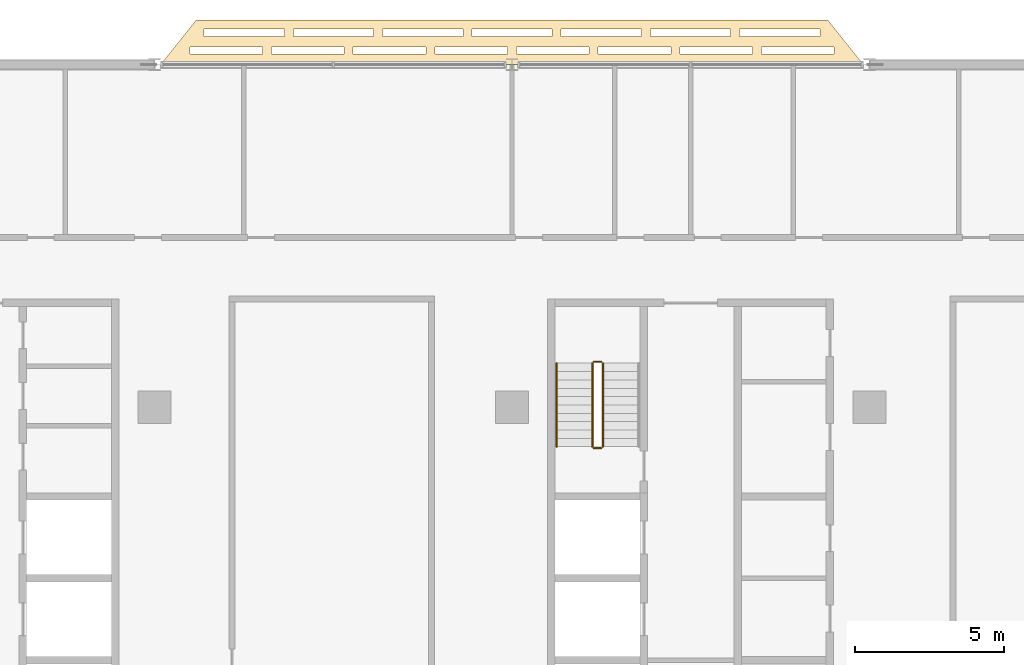
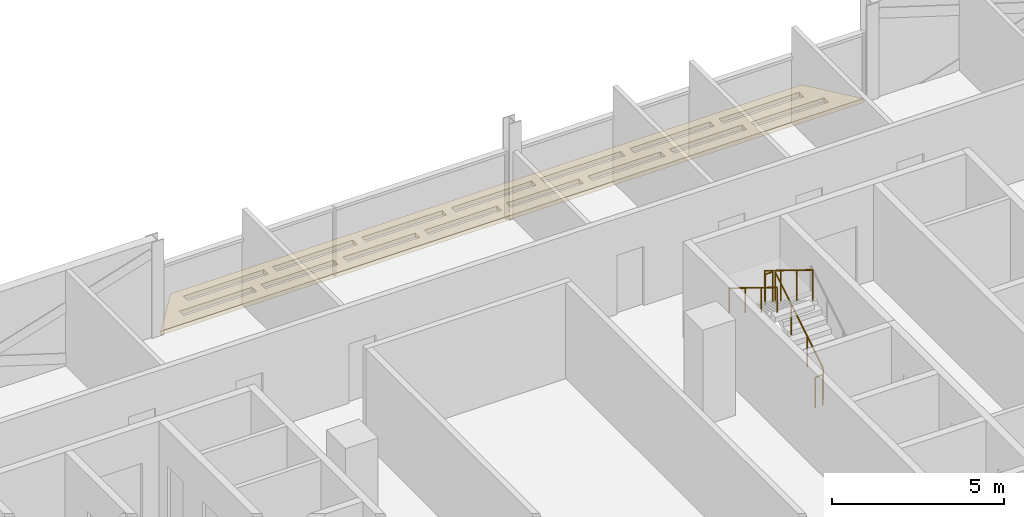
# One storey, part 28 of 30: 5 railings, 1 covering.
"""IFC4 building model written with IfcOpenShell, lengths in metres."""

from ifc_helpers import new_model, si_unit, direction, frame, origin, origin_2d, place, context, subcontext, project, spatial, polyline, circle, outline, extrude, material, layer, layer_set, type_object, element, save


model = new_model("IFC4")

# Units and contexts
model_context = context("Model", 3, precision=1e-05, world=origin(), true_north=direction((0.0, 1.0)))
body_context = subcontext(model_context, "Body", "Model", "MODEL_VIEW")
ifc_project = project(units=[si_unit("LENGTHUNIT", "METRE"), si_unit("AREAUNIT", "SQUARE_METRE"), si_unit("VOLUMEUNIT", "CUBIC_METRE"), si_unit("PLANEANGLEUNIT", "RADIAN"), si_unit("MASSUNIT", "GRAM", prefix="KILO")], contexts=[model_context])

# Site, building, storey
site_placement = place(None, origin())
site = spatial("IfcSite", under=ifc_project, at=site_placement, CompositionType="ELEMENT")
building_placement = place(site_placement, origin())
building = spatial("IfcBuilding", under=site, at=building_placement, Name="Mahtab Terrace Research Tower", CompositionType="ELEMENT")
storey_placement = place(building_placement, frame((0.0, 0.0, 220.5)))
storey = spatial("IfcBuildingStorey", under=building, at=storey_placement, Name="L53", CompositionType="ELEMENT", Elevation=220.5)

# Covering
ifc_material_1 = material(Name="Black anodised aluminium", Category="aluminium")
ifc_layer = layer(ifc_material_1, 0.14990234375)
ifc_layer_set = layer_set([ifc_layer], Name="Horizontal sunshade band")
covering_type = type_object("IfcCoveringType", Name="Horizontal sunshade band", PredefinedType="CLADDING", material=ifc_layer_set)
covering_placement = place(storey_placement, frame((0.0, 0.0, -0.14990234375)))
element("IfcCovering", 1, at=covering_placement, inside=storey, type_object=covering_type, Name="Sunshade band L53 5", PredefinedType="CLADDING", context=body_context, shape_type="SweptSolid", body=[
    extrude(outline(polyline([(29.800048828125, 23.0), (6.199951171875, 23.0), (7.39990234375, 24.5), (28.60009765625, 24.5), (29.800048828125, 23.0)]), holes=[polyline([(28.820068359375, 23.35009765625), (26.3779296875, 23.35009765625), (26.3779296875, 23.60009765625), (28.820068359375, 23.60009765625), (28.820068359375, 23.35009765625)]), polyline([(26.077880859375, 23.35009765625), (23.635009765625, 23.35009765625), (23.635009765625, 23.60009765625), (26.077880859375, 23.60009765625), (26.077880859375, 23.35009765625)]), polyline([(23.3349609375, 23.35009765625), (20.89306640625, 23.35009765625), (20.89306640625, 23.60009765625), (23.3349609375, 23.60009765625), (23.3349609375, 23.35009765625)]), polyline([(20.593017578125, 23.35009765625), (18.14990234375, 23.35009765625), (18.14990234375, 23.60009765625), (20.593017578125, 23.60009765625), (20.593017578125, 23.35009765625)]), polyline([(17.85009765625, 23.35009765625), (15.406982421875, 23.35009765625), (15.406982421875, 23.60009765625), (17.85009765625, 23.60009765625), (17.85009765625, 23.35009765625)]), polyline([(15.10791015625, 23.35009765625), (12.6650390625, 23.35009765625), (12.6650390625, 23.60009765625), (15.10791015625, 23.60009765625), (15.10791015625, 23.35009765625)]), polyline([(12.364990234375, 23.35009765625), (9.922119140625, 23.35009765625), (9.922119140625, 23.60009765625), (12.364990234375, 23.60009765625), (12.364990234375, 23.35009765625)]), polyline([(9.623046875, 23.35009765625), (7.179931640625, 23.35009765625), (7.179931640625, 23.60009765625), (9.623046875, 23.60009765625), (9.623046875, 23.35009765625)]), polyline([(28.340087890625, 23.949951171875), (25.64306640625, 23.949951171875), (25.64306640625, 24.199951171875), (28.340087890625, 24.199951171875), (28.340087890625, 23.949951171875)]), polyline([(25.343017578125, 23.949951171875), (22.64599609375, 23.949951171875), (22.64599609375, 24.199951171875), (25.343017578125, 24.199951171875), (25.343017578125, 23.949951171875)]), polyline([(22.345947265625, 23.949951171875), (19.64892578125, 23.949951171875), (19.64892578125, 24.199951171875), (22.345947265625, 24.199951171875), (22.345947265625, 23.949951171875)]), polyline([(19.34912109375, 23.949951171875), (16.65087890625, 23.949951171875), (16.65087890625, 24.199951171875), (19.34912109375, 24.199951171875), (19.34912109375, 23.949951171875)]), polyline([(16.35107421875, 23.949951171875), (13.654052734375, 23.949951171875), (13.654052734375, 24.199951171875), (16.35107421875, 24.199951171875), (16.35107421875, 23.949951171875)]), polyline([(13.35400390625, 23.949951171875), (10.656982421875, 23.949951171875), (10.656982421875, 24.199951171875), (13.35400390625, 24.199951171875), (13.35400390625, 23.949951171875)]), polyline([(10.35693359375, 23.949951171875), (7.659912109375, 23.949951171875), (7.659912109375, 24.199951171875), (10.35693359375, 24.199951171875), (10.35693359375, 23.949951171875)])]), origin(), (0.0, 0.0, 1.0), 0.14990234375),
])

# Railings
ifc_material_2 = material(Name="Stainless steel AISI 304", Category="steel")
railing_type_1 = type_object("IfcRailingType", Name="Stair guard 1100", PredefinedType="GUARDRAIL", material=ifc_material_2)
railing_1_placement = place(storey_placement, frame((21.050048828125, 10.175048828125, 0.172607421875)))
element("IfcRailing", 2, at=railing_1_placement, inside=storey, type_object=railing_type_1, Name="L53 ST3 stair guard 1", PredefinedType="GUARDRAIL", context=body_context, shape_type="SweptSolid", body=[
    extrude(circle(Radius=0.02392578125, at=origin_2d()), frame((0.0, 0.0, 1.076171875), z_axis=(0.0, 0.851089632645, 0.525020415988), x_axis=(-1.0, 0.0, 0.0)), (0.0, 0.0, 1.0), 3.2900390625),
    extrude(circle(Radius=0.02099609375, at=origin_2d()), origin(), (0.0, 0.0, 1.0), 1.052001953125),
    extrude(circle(Radius=0.02099609375, at=origin_2d()), frame((0.0, 0.933349609375, 0.57568359375)), (0.0, 0.0, 1.0), 1.052001953125),
    extrude(circle(Radius=0.02099609375, at=origin_2d()), frame((0.0, 1.86669921875, 1.151611328125)), (0.0, 0.0, 1.0), 1.052001953125),
    extrude(circle(Radius=0.02099609375, at=origin_2d()), frame((0.0, 2.800048828125, 1.727294921875)), (0.0, 0.0, 1.0), 1.052001953125),
])
railing_2_placement = place(storey_placement, frame((21.0, 13.02490234375, 1.89990234375)))
element("IfcRailing", 3, at=railing_2_placement, inside=storey, type_object=railing_type_1, Name="L53 ST3 stair guard 2", PredefinedType="GUARDRAIL", context=body_context, shape_type="SweptSolid", body=[
    extrude(circle(Radius=0.02392578125, at=origin_2d()), frame((0.0, 0.0, 1.076171875), z_axis=(-1.0, 0.0, 0.0), x_axis=(0.0, -1.0, 0.0)), (0.0, 0.0, 1.0), 0.25),
    extrude(circle(Radius=0.02099609375, at=origin_2d()), origin(), (0.0, 0.0, 1.0), 1.052001953125),
    extrude(circle(Radius=0.02099609375, at=origin_2d()), frame((-0.25, 0.0, 0.0)), (0.0, 0.0, 1.0), 1.052001953125),
])
railing_3_placement = place(storey_placement, frame((20.699951171875, 12.97509765625, 2.07275390625)))
element("IfcRailing", 4, at=railing_3_placement, inside=storey, type_object=railing_type_1, Name="L53 ST3 stair guard 3", PredefinedType="GUARDRAIL", context=body_context, shape_type="SweptSolid", body=[
    extrude(circle(Radius=0.02392578125, at=origin_2d()), frame((0.0, 0.0, 1.076171875), z_axis=(0.0, -0.851089632645, 0.525020415988), x_axis=(1.0, 0.0, 0.0)), (0.0, 0.0, 1.0), 3.2900390625),
    extrude(circle(Radius=0.02099609375, at=origin_2d()), origin(), (0.0, 0.0, 1.0), 1.052001953125),
    extrude(circle(Radius=0.02099609375, at=origin_2d()), frame((0.0, -0.933349609375, 0.57568359375)), (0.0, 0.0, 1.0), 1.052001953125),
    extrude(circle(Radius=0.02099609375, at=origin_2d()), frame((0.0, -1.86669921875, 1.151611328125)), (0.0, 0.0, 1.0), 1.052001953125),
    extrude(circle(Radius=0.02099609375, at=origin_2d()), frame((0.0, -2.800048828125, 1.727294921875)), (0.0, 0.0, 1.0), 1.052001953125),
])
railing_4_placement = place(storey_placement, frame((21.0, 10.125, 0.0)))
element("IfcRailing", 5, at=railing_4_placement, inside=storey, type_object=railing_type_1, Name="L53 ST3 stair guard 4", PredefinedType="GUARDRAIL", context=body_context, shape_type="SweptSolid", body=[
    extrude(circle(Radius=0.02392578125, at=origin_2d()), frame((0.0, 0.0, 1.076171875), z_axis=(-1.0, 0.0, 0.0), x_axis=(0.0, -1.0, 0.0)), (0.0, 0.0, 1.0), 0.25),
    extrude(circle(Radius=0.02099609375, at=origin_2d()), origin(), (0.0, 0.0, 1.0), 1.052001953125),
    extrude(circle(Radius=0.02099609375, at=origin_2d()), frame((-0.25, 0.0, 0.0)), (0.0, 0.0, 1.0), 1.052001953125),
])
railing_type_2 = type_object("IfcRailingType", Name="Stair handrail 900", PredefinedType="HANDRAIL", material=ifc_material_2)
railing_5_placement = place(storey_placement, frame((19.5, 12.97509765625, 2.07275390625)))
element("IfcRailing", 6, at=railing_5_placement, inside=storey, type_object=railing_type_2, Name="L53 ST3 stair handrail 2", PredefinedType="HANDRAIL", context=body_context, shape_type="SweptSolid", body=[
    extrude(circle(Radius=0.02392578125, at=origin_2d()), frame((0.0, 0.0, 0.8759765625), z_axis=(0.0, -0.851089632645, 0.525020415988), x_axis=(1.0, 0.0, 0.0)), (0.0, 0.0, 1.0), 3.2900390625),
    extrude(circle(Radius=0.02099609375, at=origin_2d()), origin(), (0.0, 0.0, 1.0), 0.851806640625),
    extrude(circle(Radius=0.02099609375, at=origin_2d()), frame((0.0, -0.933349609375, 0.57568359375)), (0.0, 0.0, 1.0), 0.851806640625),
    extrude(circle(Radius=0.02099609375, at=origin_2d()), frame((0.0, -1.86669921875, 1.151611328125)), (0.0, 0.0, 1.0), 0.851806640625),
    extrude(circle(Radius=0.02099609375, at=origin_2d()), frame((0.0, -2.800048828125, 1.727294921875)), (0.0, 0.0, 1.0), 0.851806640625),
])

save(model, "model.ifc")
